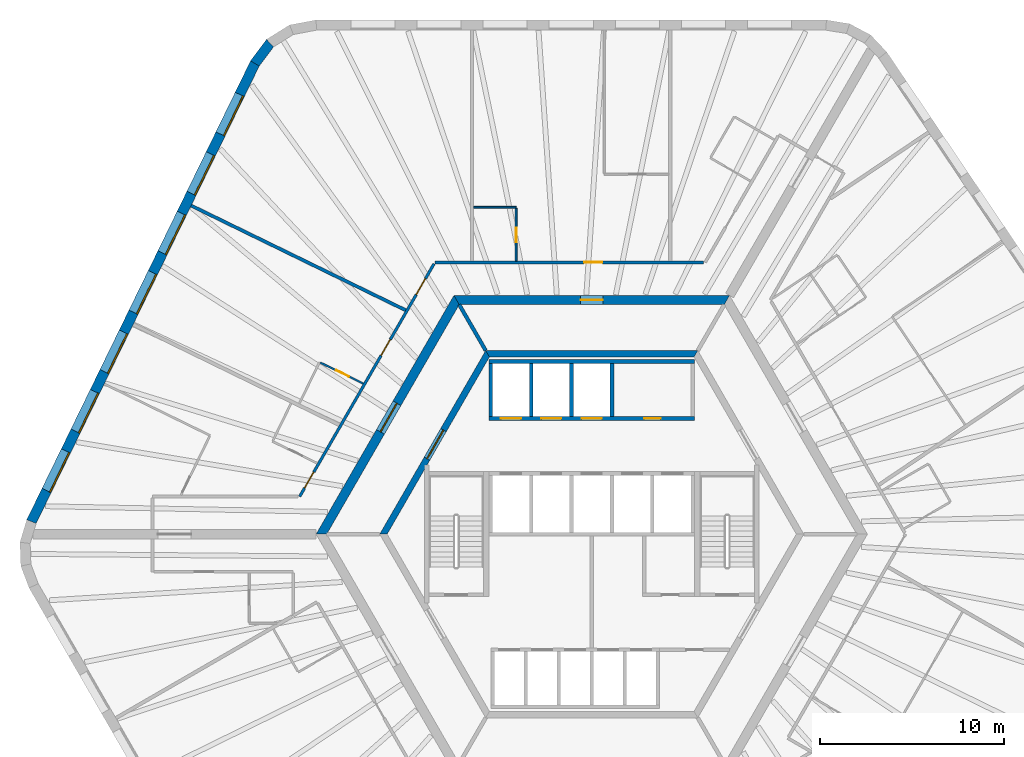
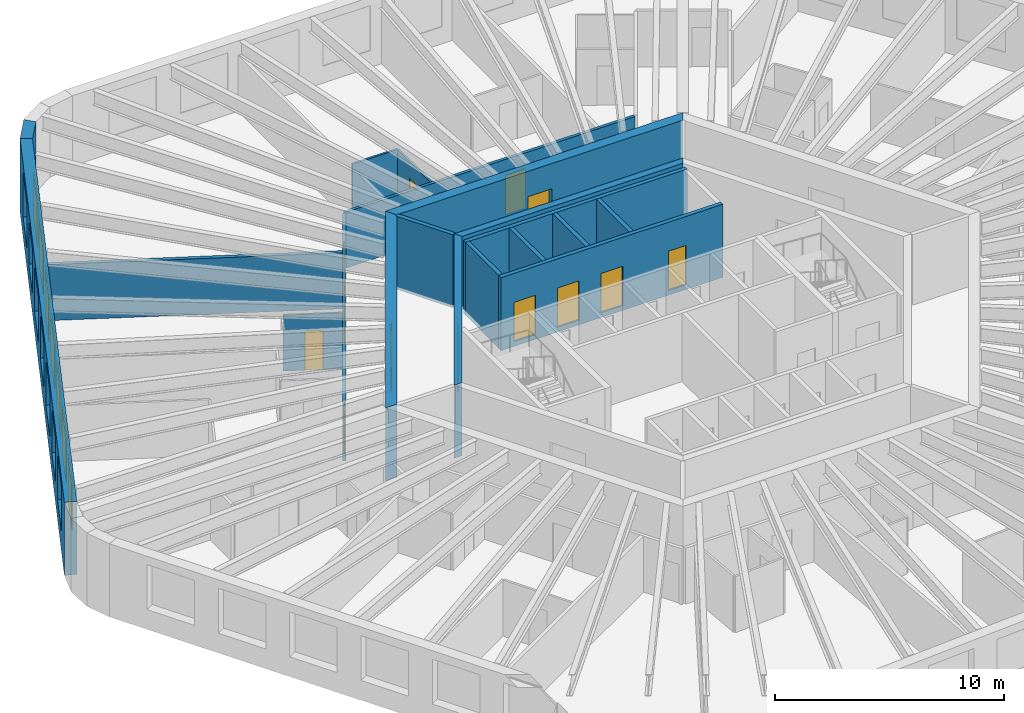
# One storey, part 7 of 10: 19 walls, 13 doors, 7 windows, 20 openings.
"""IFC4 building model written with IfcOpenShell, lengths in metres."""

from ifc_helpers import new_model, si_unit, direction, frame, frame_2d, origin, place, context, subcontext, project, spatial, polyline, rectangle, outline, extrude, material, layer, layer_set, type_object, element, fill, save


model = new_model("IFC4")

# Units and contexts
model_context = context("Model", 3, precision=1e-05, world=origin(), true_north=direction((0.0, 1.0)))
body_context = subcontext(model_context, "Body", "Model", "MODEL_VIEW")
ifc_project = project(units=[si_unit("LENGTHUNIT", "METRE"), si_unit("AREAUNIT", "SQUARE_METRE"), si_unit("VOLUMEUNIT", "CUBIC_METRE"), si_unit("PLANEANGLEUNIT", "RADIAN"), si_unit("MASSUNIT", "GRAM", prefix="KILO")], contexts=[model_context])

# Site, building, storey
site_placement = place(None, origin())
site = spatial("IfcSite", under=ifc_project, at=site_placement, CompositionType="ELEMENT")
building_placement = place(site_placement, origin())
building = spatial("IfcBuilding", under=site, at=building_placement, Name="Tarnside Tower", CompositionType="ELEMENT")
storey_placement = place(building_placement, frame((0.0, 0.0, 180.0)))
storey = spatial("IfcBuildingStorey", under=building, at=storey_placement, Name="L42", CompositionType="ELEMENT", Elevation=180.0)

# Wall
ifc_material_1 = material(Name="Gypsum board partition on steel studs", Category="steel")
ifc_layer_1 = layer(ifc_material_1, 0.10009765625)
ifc_layer_set_1 = layer_set([ifc_layer_1], Name="Bathroom wall 100")
wall_type_1 = type_object("IfcWallType", Name="Bathroom wall 100", PredefinedType="PARTITIONING", material=ifc_layer_set_1)
wall_1_placement = place(storey_placement, frame((-6.427978515625, 17.800048828125, 0.0), z_axis=(0.0, 0.0, 1.0), x_axis=(1.0, 0.0, 0.0)))
element("IfcWall", 1, at=wall_1_placement, inside=storey, type_object=wall_type_1, Name="Bathroom wall 13054", PredefinedType="PARTITIONING", context=body_context, shape_type="SweptSolid", body=[
    extrude(rectangle(XDim=2.31005859375, YDim=0.10009765625, at=frame_2d((1.155029296875, 0.0))), origin(), (0.0, 0.0, 1.0), 2.98779296875),
])

# Wall, opening, door
wall_2_placement = place(storey_placement, frame((-4.117919921875, 17.75, 0.0), z_axis=(0.0, 0.0, 1.0), x_axis=(0.0, -1.0, 0.0)))
wall_2 = element("IfcWall", 2, at=wall_2_placement, inside=storey, type_object=wall_type_1, Name="Bathroom wall 13055", PredefinedType="PARTITIONING", context=body_context, shape_type="SweptSolid", body=[
    extrude(rectangle(XDim=2.875, YDim=0.10009765625, at=frame_2d((1.4375, 0.0))), origin(), (0.0, 0.0, 1.0), 2.98779296875),
])
opening_1_placement = place(wall_2_placement, frame((1.050048828125, 0.0, 0.0)))
opening_1 = element("IfcOpeningElement", 3, at=opening_1_placement, cuts=wall_2, Name="Opening D-B1", PredefinedType="OPENING", context=body_context, shape_type="SweptSolid", body=[
    extrude(rectangle(XDim=0.800048828125, YDim=2.10009765625, at=frame_2d((0.39990234375, 1.050048828125))), frame((0.0, 0.06005859375, 0.0), z_axis=(0.0, -1.0, 0.0), x_axis=(1.0, 0.0, 0.0)), (0.0, 0.0, 1.0), 0.1201171875),
])
ifc_material_2 = material(Name="Timber door leaf", Category="wood")
door_type_1 = type_object("IfcDoorType", Name="Bathroom door 800", OperationType="NOTDEFINED", PredefinedType="DOOR", material=ifc_material_2)
door_1_placement = place(opening_1_placement, origin())
door_1 = element("IfcDoor", 4, at=door_1_placement, inside=storey, type_object=door_type_1, Name="Bathroom door 13004", OperationType="SINGLE_SWING_LEFT", OverallHeight=2.10009765625, OverallWidth=0.800048828125, PredefinedType="DOOR", context=body_context, shape_type="SweptSolid", body=[
    extrude(rectangle(XDim=0.800048828125, YDim=2.10009765625, at=frame_2d((0.39990234375, 1.050048828125))), frame((0.0, 0.02490234375, 0.0), z_axis=(0.0, -1.0, 0.0), x_axis=(1.0, 0.0, 0.0)), (0.0, 0.0, 1.0), 0.050048828125),
])
fill(opening_1, door_1)

wall_3_placement = place(storey_placement, frame((-14.7822265625, 9.34375, 0.0), z_axis=(0.0, 0.0, 1.0), x_axis=(0.898770247069, -0.438419939081, 0.0)))
wall_3 = element("IfcWall", 5, at=wall_3_placement, inside=storey, type_object=wall_type_1, Name="Bathroom wall 13062", PredefinedType="PARTITIONING", context=body_context, shape_type="SweptSolid", body=[
    extrude(rectangle(XDim=2.60498046875, YDim=0.10009765625, at=frame_2d((1.302490234375, 0.0))), origin(), (0.0, 0.0, 1.0), 2.98779296875),
])
opening_2_placement = place(wall_3_placement, frame((0.949951171875, 0.0, 0.0)))
opening_2 = element("IfcOpeningElement", 6, at=opening_2_placement, cuts=wall_3, Name="Opening D-B1", PredefinedType="OPENING", context=body_context, shape_type="SweptSolid", body=[
    extrude(rectangle(XDim=0.800048828125, YDim=2.10009765625, at=frame_2d((0.39990234375, 1.050048828125))), frame((0.0, 0.06005859375, 0.0), z_axis=(0.0, -1.0, 0.0), x_axis=(1.0, 0.0, 0.0)), (0.0, 0.0, 1.0), 0.1201171875),
])
door_2_placement = place(opening_2_placement, origin())
door_2 = element("IfcDoor", 7, at=door_2_placement, inside=storey, type_object=door_type_1, Name="Bathroom door 13008", OperationType="SINGLE_SWING_LEFT", OverallHeight=2.10009765625, OverallWidth=0.800048828125, PredefinedType="DOOR", context=body_context, shape_type="SweptSolid", body=[
    extrude(rectangle(XDim=0.800048828125, YDim=2.10009765625, at=frame_2d((0.39990234375, 1.050048828125))), frame((0.0, 0.02490234375, 0.0), z_axis=(0.0, -1.0, 0.0), x_axis=(1.0, 0.0, 0.0)), (0.0, 0.0, 1.0), 0.050048828125),
])
fill(opening_2, door_2)

ifc_material_3 = material(Name="Concrete C50/60", Category="concrete")
ifc_layer_2 = layer(ifc_material_3, 0.35009765625)
ifc_layer_set_2 = layer_set([ifc_layer_2], Name="Core block wall 350 C50/60")
wall_type_2 = type_object("IfcWallType", Name="Core block wall 350 C50/60", PredefinedType="SHEAR", material=ifc_layer_set_2)
wall_4_placement = place(storey_placement, frame((-5.672607421875, 9.824951171875, -0.14990234375), z_axis=(0.0, 0.0, 1.0), x_axis=(-0.499995046907, -0.866028263435, 0.0)))
wall_4 = element("IfcWall", 8, at=wall_4_placement, inside=storey, type_object=wall_type_2, Name="L42 core block wall face 2", PredefinedType="SHEAR", context=body_context, shape_type="SweptSolid", body=[
    extrude(outline(polyline([(-0.10107421875, -0.175048828125), (11.44580078125, -0.175048828125), (11.24365234375, 0.175048828125), (0.10107421875, 0.175048828125), (-0.10107421875, -0.175048828125)])), origin(), (0.0, 0.0, 1.0), 3.89990234375),
])
opening_3_placement = place(wall_4_placement, frame((4.80126953125, 0.0, 0.14990234375)))
opening_3 = element("IfcOpeningElement", 9, at=opening_3_placement, cuts=wall_4, Name="Opening CD-LOB", PredefinedType="OPENING", context=body_context, shape_type="SweptSolid", body=[
    extrude(rectangle(XDim=1.800048828125, YDim=2.39990234375, at=frame_2d((0.89990234375, 1.199951171875))), frame((0.0, 0.18505859375, 0.0), z_axis=(0.0, -1.0, 0.0), x_axis=(1.0, 0.0, 0.0)), (0.0, 0.0, 1.0), 0.3701171875),
])
ifc_material_4 = material(Name="Steel fire door", Category="steel")
door_type_2 = type_object("IfcDoorType", Name="Lobby double door FD30S 1800x2400", OperationType="NOTDEFINED", PredefinedType="DOOR", material=ifc_material_4)
door_3_placement = place(opening_3_placement, origin())
door_3 = element("IfcDoor", 10, at=door_3_placement, inside=storey, type_object=door_type_2, Name="L42 lobby block door P1", OperationType="DOUBLE_DOOR_SINGLE_SWING", OverallHeight=2.39990234375, OverallWidth=1.800048828125, PredefinedType="DOOR", context=body_context, shape_type="SweptSolid", body=[
    extrude(rectangle(XDim=1.800048828125, YDim=2.39990234375, at=frame_2d((0.89990234375, 1.199951171875))), frame((0.0, 0.02490234375, 0.0), z_axis=(0.0, -1.0, 0.0), x_axis=(1.0, 0.0, 0.0)), (0.0, 0.0, 1.0), 0.050048828125),
])
fill(opening_3, door_3)

# Wall
wall_5_placement = place(storey_placement, frame((5.672607421875, 9.824951171875, -0.14990234375), z_axis=(0.0, 0.0, 1.0), x_axis=(-1.0, 0.0, 0.0)))
element("IfcWall", 11, at=wall_5_placement, inside=storey, type_object=wall_type_2, Name="L42 core block wall face 1", PredefinedType="SHEAR", context=body_context, shape_type="SweptSolid", body=[
    extrude(outline(polyline([(-0.10107421875, -0.175048828125), (11.4462890625, -0.175048828125), (11.244140625, 0.175048828125), (0.10107421875, 0.175048828125), (-0.10107421875, -0.175048828125)])), origin(), (0.0, 0.0, 1.0), 3.89990234375),
])

# Wall, opening, door
ifc_material_5 = material(Name="Concrete C70/85", Category="concrete")
ifc_layer_3 = layer(ifc_material_5, 0.5)
ifc_layer_set_3 = layer_set([ifc_layer_3], Name="Core wall Z2 500 C70/85")
wall_type_3 = type_object("IfcWallType", Name="Core wall Z2 500 C70/85", PredefinedType="SHEAR", material=ifc_layer_set_3)
wall_6_placement = place(storey_placement, frame((-7.361083984375, 12.75, -0.14990234375), z_axis=(0.0, 0.0, 1.0), x_axis=(-0.50000571537, -0.866022103989, 0.0)))
wall_6 = element("IfcWall", 12, at=wall_6_placement, inside=storey, type_object=wall_type_3, Name="L42 core wall face 2", PredefinedType="SHEAR", context=body_context, shape_type="SweptSolid", body=[
    extrude(outline(polyline([(-0.144287109375, -0.25), (14.86669921875, -0.25), (14.578125, 0.25), (0.144287109375, 0.25), (-0.144287109375, -0.25)])), origin(), (0.0, 0.0, 1.0), 3.89990234375),
])
opening_4_placement = place(wall_6_placement, frame((6.489990234375, 0.0, 0.14990234375)))
opening_4 = element("IfcOpeningElement", 13, at=opening_4_placement, cuts=wall_6, Name="Opening CD-LOB", PredefinedType="OPENING", context=body_context, shape_type="SweptSolid", body=[
    extrude(rectangle(XDim=1.800048828125, YDim=2.39990234375, at=frame_2d((0.89990234375, 1.199951171875))), frame((0.0, 0.260009765625, 0.0), z_axis=(0.0, -1.0, 0.0), x_axis=(1.0, 0.0, 0.0)), (0.0, 0.0, 1.0), 0.52001953125),
])
door_4_placement = place(opening_4_placement, origin())
door_4 = element("IfcDoor", 14, at=door_4_placement, inside=storey, type_object=door_type_2, Name="L42 core door P1", OperationType="DOUBLE_DOOR_SINGLE_SWING", OverallHeight=2.39990234375, OverallWidth=1.800048828125, PredefinedType="DOOR", context=body_context, shape_type="SweptSolid", body=[
    extrude(rectangle(XDim=1.800048828125, YDim=2.39990234375, at=frame_2d((0.89990234375, 1.199951171875))), frame((0.0, 0.02490234375, 0.0), z_axis=(0.0, -1.0, 0.0), x_axis=(1.0, 0.0, 0.0)), (0.0, 0.0, 1.0), 0.050048828125),
])
fill(opening_4, door_4)

wall_7_placement = place(storey_placement, frame((7.361083984375, 12.75, -0.14990234375), z_axis=(0.0, 0.0, 1.0), x_axis=(-1.0, 0.0, 0.0)))
wall_7 = element("IfcWall", 15, at=wall_7_placement, inside=storey, type_object=wall_type_3, Name="L42 core wall face 1", PredefinedType="SHEAR", context=body_context, shape_type="SweptSolid", body=[
    extrude(outline(polyline([(-0.144287109375, -0.25), (14.866455078125, -0.25), (14.577880859375, 0.25), (0.144287109375, 0.25), (-0.144287109375, -0.25)])), origin(), (0.0, 0.0, 1.0), 3.89990234375),
])
opening_5_placement = place(wall_7_placement, frame((6.76123046875, 0.0, 0.14990234375)))
opening_5 = element("IfcOpeningElement", 16, at=opening_5_placement, cuts=wall_7, Name="Opening CD-RSR", PredefinedType="OPENING", context=body_context, shape_type="SweptSolid", body=[
    extrude(rectangle(XDim=1.199951171875, YDim=2.39990234375, at=frame_2d((0.60009765625, 1.199951171875))), frame((0.0, 0.260009765625, 0.0), z_axis=(0.0, -1.0, 0.0), x_axis=(1.0, 0.0, 0.0)), (0.0, 0.0, 1.0), 0.52001953125),
])
door_type_3 = type_object("IfcDoorType", Name="Riser door FD60 1200x2400", OperationType="NOTDEFINED", PredefinedType="DOOR", material=ifc_material_4)
door_5_placement = place(opening_5_placement, origin())
door_5 = element("IfcDoor", 17, at=door_5_placement, inside=storey, type_object=door_type_3, Name="L42 core door S5", OperationType="SINGLE_SWING_LEFT", OverallHeight=2.39990234375, OverallWidth=1.199951171875, PredefinedType="DOOR", context=body_context, shape_type="SweptSolid", body=[
    extrude(rectangle(XDim=1.199951171875, YDim=2.39990234375, at=frame_2d((0.60009765625, 1.199951171875))), frame((0.0, 0.02490234375, 0.0), z_axis=(0.0, -1.0, 0.0), x_axis=(1.0, 0.0, 0.0)), (0.0, 0.0, 1.0), 0.050048828125),
])
fill(opening_5, door_5)

ifc_layer_4 = layer(ifc_material_1, 0.14990234375)
ifc_layer_set_4 = layer_set([ifc_layer_4], Name="Corridor wall 150 EI 60")
wall_type_4 = type_object("IfcWallType", Name="Corridor wall 150 EI 60", PredefinedType="PARTITIONING", material=ifc_layer_set_4)
wall_8_placement = place(storey_placement, frame((6.091064453125, 14.800048828125, 0.0), z_axis=(0.0, 0.0, 1.0), x_axis=(-1.0, 0.0, 0.0)))
wall_8 = element("IfcWall", 18, at=wall_8_placement, inside=storey, type_object=wall_type_4, Name="Corridor wall 13002", PredefinedType="PARTITIONING", context=body_context, shape_type="SweptSolid", body=[
    extrude(rectangle(XDim=14.6357421875, YDim=0.14990234375, at=frame_2d((7.31787109375, 0.0))), origin(), (0.0, 0.0, 1.0), 2.98779296875),
])
opening_6_placement = place(wall_8_placement, frame((5.509033203125, 0.0, 0.0)))
opening_6 = element("IfcOpeningElement", 19, at=opening_6_placement, cuts=wall_8, Name="Opening D-E1", PredefinedType="OPENING", context=body_context, shape_type="SweptSolid", body=[
    extrude(rectangle(XDim=1.0, YDim=2.10009765625, at=frame_2d((0.5, 1.050048828125))), frame((0.0, 0.0849609375, 0.0), z_axis=(0.0, -1.0, 0.0), x_axis=(1.0, 0.0, 0.0)), (0.0, 0.0, 1.0), 0.169921875),
])
door_type_4 = type_object("IfcDoorType", Name="Unit entrance door 1000 FD30S", OperationType="NOTDEFINED", PredefinedType="DOOR", material=ifc_material_2)
door_6_placement = place(opening_6_placement, origin())
door_6 = element("IfcDoor", 20, at=door_6_placement, inside=storey, type_object=door_type_4, Name="Unit door 13003", OperationType="SINGLE_SWING_RIGHT", OverallHeight=2.10009765625, OverallWidth=1.0, PredefinedType="DOOR", context=body_context, shape_type="SweptSolid", body=[
    extrude(rectangle(XDim=1.0, YDim=2.10009765625, at=frame_2d((0.5, 1.050048828125))), frame((0.0, 0.02490234375, 0.0), z_axis=(0.0, -1.0, 0.0), x_axis=(1.0, 0.0, 0.0)), (0.0, 0.0, 1.0), 0.050048828125),
])
fill(opening_6, door_6)

# Wall, openings, doors
wall_9_placement = place(storey_placement, frame((-8.588134765625, 14.72509765625, 0.0), z_axis=(0.0, 0.0, 1.0), x_axis=(-0.499996322767, -0.866027526826, 0.0)))
wall_9 = element("IfcWall", 21, at=wall_9_placement, inside=storey, type_object=wall_type_4, Name="Corridor wall 13009", PredefinedType="PARTITIONING", context=body_context, shape_type="SweptSolid", body=[
    extrude(rectangle(XDim=14.6357421875, YDim=0.14990234375, at=frame_2d((7.31787109375, 0.0))), origin(), (0.0, 0.0, 1.0), 2.98779296875),
])
opening_7_placement = place(wall_9_placement, frame((0.936279296875, 0.0, 0.0)))
opening_7 = element("IfcOpeningElement", 22, at=opening_7_placement, cuts=wall_9, Name="Opening D-E1", PredefinedType="OPENING", context=body_context, shape_type="SweptSolid", body=[
    extrude(rectangle(XDim=1.0, YDim=2.10009765625, at=frame_2d((0.5, 1.050048828125))), frame((0.0, 0.0849609375, 0.0), z_axis=(0.0, -1.0, 0.0), x_axis=(1.0, 0.0, 0.0)), (0.0, 0.0, 1.0), 0.169921875),
])
opening_8_placement = place(wall_9_placement, frame((4.771240234375, 0.0, 0.0)))
opening_8 = element("IfcOpeningElement", 23, at=opening_8_placement, cuts=wall_9, Name="Opening D-E1", PredefinedType="OPENING", context=body_context, shape_type="SweptSolid", body=[
    extrude(rectangle(XDim=1.0, YDim=2.10009765625, at=frame_2d((0.5, 1.050048828125))), frame((0.0, 0.0849609375, 0.0), z_axis=(0.0, -1.0, 0.0), x_axis=(1.0, 0.0, 0.0)), (0.0, 0.0, 1.0), 0.169921875),
])
opening_9_placement = place(wall_9_placement, frame((13.103271484375, 0.0, 0.0)))
opening_9 = element("IfcOpeningElement", 24, at=opening_9_placement, cuts=wall_9, Name="Opening D-E1", PredefinedType="OPENING", context=body_context, shape_type="SweptSolid", body=[
    extrude(rectangle(XDim=1.0, YDim=2.10009765625, at=frame_2d((0.5, 1.050048828125))), frame((0.0, 0.0849609375, 0.0), z_axis=(0.0, -1.0, 0.0), x_axis=(1.0, 0.0, 0.0)), (0.0, 0.0, 1.0), 0.169921875),
])
door_7_placement = place(opening_7_placement, origin())
door_7 = element("IfcDoor", 25, at=door_7_placement, inside=storey, type_object=door_type_4, Name="Unit door 13006", OperationType="SINGLE_SWING_RIGHT", OverallHeight=2.10009765625, OverallWidth=1.0, PredefinedType="DOOR", context=body_context, shape_type="SweptSolid", body=[
    extrude(rectangle(XDim=1.0, YDim=2.10009765625, at=frame_2d((0.5, 1.050048828125))), frame((0.0, 0.02490234375, 0.0), z_axis=(0.0, -1.0, 0.0), x_axis=(1.0, 0.0, 0.0)), (0.0, 0.0, 1.0), 0.050048828125),
])
fill(opening_7, door_7)
door_8_placement = place(opening_8_placement, origin())
door_8 = element("IfcDoor", 26, at=door_8_placement, inside=storey, type_object=door_type_4, Name="Unit door 13007", OperationType="SINGLE_SWING_LEFT", OverallHeight=2.10009765625, OverallWidth=1.0, PredefinedType="DOOR", context=body_context, shape_type="SweptSolid", body=[
    extrude(rectangle(XDim=1.0, YDim=2.10009765625, at=frame_2d((0.5, 1.050048828125))), frame((0.0, 0.02490234375, 0.0), z_axis=(0.0, -1.0, 0.0), x_axis=(1.0, 0.0, 0.0)), (0.0, 0.0, 1.0), 0.050048828125),
])
fill(opening_8, door_8)
door_9_placement = place(opening_9_placement, origin())
door_9 = element("IfcDoor", 27, at=door_9_placement, inside=storey, type_object=door_type_4, Name="Unit door 13009", OperationType="SINGLE_SWING_LEFT", OverallHeight=2.10009765625, OverallWidth=1.0, PredefinedType="DOOR", context=body_context, shape_type="SweptSolid", body=[
    extrude(rectangle(XDim=1.0, YDim=2.10009765625, at=frame_2d((0.5, 1.050048828125))), frame((0.0, 0.02490234375, 0.0), z_axis=(0.0, -1.0, 0.0), x_axis=(1.0, 0.0, 0.0)), (0.0, 0.0, 1.0), 0.050048828125),
])
fill(opening_9, door_9)

# Wall
ifc_layer_5 = layer(ifc_material_1, 0.179931640625)
ifc_layer_set_5 = layer_set([ifc_layer_5], Name="Demising wall 180 EI 60")
wall_type_5 = type_object("IfcWallType", Name="Demising wall 180 EI 60", PredefinedType="PARTITIONING", material=ifc_layer_set_5)
wall_10_placement = place(storey_placement, frame((-21.814697265625, 17.8916015625, 0.0), z_axis=(0.0, 0.0, 1.0), x_axis=(0.898798778742, -0.43836144371, 0.0)))
element("IfcWall", 28, at=wall_10_placement, inside=storey, type_object=wall_type_5, Name="Demising wall 13060", PredefinedType="PARTITIONING", context=body_context, shape_type="SweptSolid", body=[
    extrude(rectangle(XDim=12.994384765625, YDim=0.179931640625, at=frame_2d((6.4970703125, 0.0))), origin(), (0.0, 0.0, 1.0), 2.98779296875),
])

# Wall, openings, doors
ifc_material_6 = material(Name="Concrete C40/50", Category="concrete")
ifc_layer_6 = layer(ifc_material_6, 0.199951171875)
ifc_layer_set_6 = layer_set([ifc_layer_6], Name="Lift shaft wall 200 C40/50")
wall_type_6 = type_object("IfcWallType", Name="Lift shaft wall 200 C40/50", PredefinedType="SHEAR", material=ifc_layer_set_6)
wall_11_placement = place(storey_placement, frame((-5.60009765625, 6.300048828125, -0.25), z_axis=(0.0, 0.0, 1.0), x_axis=(1.0, 0.0, 0.0)))
wall_11 = element("IfcWall", 29, at=wall_11_placement, inside=storey, type_object=wall_type_6, Name="L42 lift shaft front wall R1", PredefinedType="SHEAR", context=body_context, shape_type="SweptSolid", body=[
    extrude(rectangle(XDim=11.2001953125, YDim=0.199951171875, at=frame_2d((5.60009765625, 0.0))), origin(), (0.0, 0.0, 1.0), 3.89990234375),
])
opening_10_placement = place(wall_11_placement, frame((8.449951171875, 0.0, 0.25)))
opening_10 = element("IfcOpeningElement", 30, at=opening_10_placement, cuts=wall_11, Name="Opening CD-room", PredefinedType="OPENING", context=body_context, shape_type="SweptSolid", body=[
    extrude(rectangle(XDim=0.89990234375, YDim=2.10009765625, at=frame_2d((0.449951171875, 1.050048828125))), frame((0.0, 0.10986328125, 0.0), z_axis=(0.0, -1.0, 0.0), x_axis=(1.0, 0.0, 0.0)), (0.0, 0.0, 1.0), 0.219970703125),
])
opening_11_placement = place(wall_11_placement, frame((0.64990234375, 0.0, 0.25)))
opening_11 = element("IfcOpeningElement", 31, at=opening_11_placement, cuts=wall_11, Name="Opening LD", PredefinedType="OPENING", context=body_context, shape_type="SweptSolid", body=[
    extrude(rectangle(XDim=1.10009765625, YDim=2.10009765625, at=frame_2d((0.550048828125, 1.050048828125))), frame((0.0, 0.10986328125, 0.0), z_axis=(0.0, -1.0, 0.0), x_axis=(1.0, 0.0, 0.0)), (0.0, 0.0, 1.0), 0.219970703125),
])
opening_12_placement = place(wall_11_placement, frame((2.85009765625, 0.0, 0.25)))
opening_12 = element("IfcOpeningElement", 32, at=opening_12_placement, cuts=wall_11, Name="Opening LD", PredefinedType="OPENING", context=body_context, shape_type="SweptSolid", body=[
    extrude(rectangle(XDim=1.10009765625, YDim=2.10009765625, at=frame_2d((0.550048828125, 1.050048828125))), frame((0.0, 0.10986328125, 0.0), z_axis=(0.0, -1.0, 0.0), x_axis=(1.0, 0.0, 0.0)), (0.0, 0.0, 1.0), 0.219970703125),
])
opening_13_placement = place(wall_11_placement, frame((5.050048828125, 0.0, 0.25)))
opening_13 = element("IfcOpeningElement", 33, at=opening_13_placement, cuts=wall_11, Name="Opening LD", PredefinedType="OPENING", context=body_context, shape_type="SweptSolid", body=[
    extrude(rectangle(XDim=1.10009765625, YDim=2.10009765625, at=frame_2d((0.550048828125, 1.050048828125))), frame((0.0, 0.10986328125, 0.0), z_axis=(0.0, -1.0, 0.0), x_axis=(1.0, 0.0, 0.0)), (0.0, 0.0, 1.0), 0.219970703125),
])
ifc_material_7 = material(Name="Stainless steel", Category="steel")
door_type_5 = type_object("IfcDoorType", Name="Lift landing door 1100x2100", OperationType="NOTDEFINED", PredefinedType="DOOR", material=ifc_material_7)
door_10_placement = place(opening_11_placement, origin())
door_10 = element("IfcDoor", 34, at=door_10_placement, inside=storey, type_object=door_type_5, Name="Mid-rise lift 1 landing door L42", OperationType="SLIDING_TO_LEFT", OverallHeight=2.10009765625, OverallWidth=1.10009765625, PredefinedType="DOOR", context=body_context, shape_type="SweptSolid", body=[
    extrude(rectangle(XDim=1.10009765625, YDim=2.10009765625, at=frame_2d((0.550048828125, 1.050048828125))), frame((0.0, 0.02490234375, 0.0), z_axis=(0.0, -1.0, 0.0), x_axis=(1.0, 0.0, 0.0)), (0.0, 0.0, 1.0), 0.050048828125),
])
fill(opening_11, door_10)
door_11_placement = place(opening_12_placement, origin())
door_11 = element("IfcDoor", 35, at=door_11_placement, inside=storey, type_object=door_type_5, Name="Mid-rise lift 2 landing door L42", OperationType="SLIDING_TO_LEFT", OverallHeight=2.10009765625, OverallWidth=1.10009765625, PredefinedType="DOOR", context=body_context, shape_type="SweptSolid", body=[
    extrude(rectangle(XDim=1.10009765625, YDim=2.10009765625, at=frame_2d((0.550048828125, 1.050048828125))), frame((0.0, 0.02490234375, 0.0), z_axis=(0.0, -1.0, 0.0), x_axis=(1.0, 0.0, 0.0)), (0.0, 0.0, 1.0), 0.050048828125),
])
fill(opening_12, door_11)
door_12_placement = place(opening_13_placement, origin())
door_12 = element("IfcDoor", 36, at=door_12_placement, inside=storey, type_object=door_type_5, Name="Mid-rise lift 3 landing door L42", OperationType="SLIDING_TO_LEFT", OverallHeight=2.10009765625, OverallWidth=1.10009765625, PredefinedType="DOOR", context=body_context, shape_type="SweptSolid", body=[
    extrude(rectangle(XDim=1.10009765625, YDim=2.10009765625, at=frame_2d((0.550048828125, 1.050048828125))), frame((0.0, 0.02490234375, 0.0), z_axis=(0.0, -1.0, 0.0), x_axis=(1.0, 0.0, 0.0)), (0.0, 0.0, 1.0), 0.050048828125),
])
fill(opening_13, door_12)
door_type_6 = type_object("IfcDoorType", Name="Room door FD60 900x2100", OperationType="NOTDEFINED", PredefinedType="DOOR", material=ifc_material_4)
door_13_placement = place(opening_10_placement, origin())
door_13 = element("IfcDoor", 37, at=door_13_placement, inside=storey, type_object=door_type_6, Name="L42 core room door FC1", OperationType="SINGLE_SWING_LEFT", OverallHeight=2.10009765625, OverallWidth=0.89990234375, PredefinedType="DOOR", context=body_context, shape_type="SweptSolid", body=[
    extrude(rectangle(XDim=0.89990234375, YDim=2.10009765625, at=frame_2d((0.449951171875, 1.050048828125))), frame((0.0, 0.02490234375, 0.0), z_axis=(0.0, -1.0, 0.0), x_axis=(1.0, 0.0, 0.0)), (0.0, 0.0, 1.0), 0.050048828125),
])
fill(opening_10, door_13)

# Walls
wall_12_placement = place(storey_placement, frame((-5.60009765625, 9.39990234375, -0.25), z_axis=(0.0, 0.0, 1.0), x_axis=(1.0, 0.0, 0.0)))
element("IfcWall", 38, at=wall_12_placement, inside=storey, type_object=wall_type_6, Name="L42 lift shaft back wall R1", PredefinedType="SHEAR", context=body_context, shape_type="SweptSolid", body=[
    extrude(rectangle(XDim=11.2001953125, YDim=0.199951171875, at=frame_2d((5.60009765625, 0.0))), origin(), (0.0, 0.0, 1.0), 3.89990234375),
])
for number, where, z_axis, x_axis, name in (
    (39, (-5.5, 6.39990234375, -0.25), (0.0, 0.0, 1.0), (0.0, 1.0, 0.0), "L42 lift shaft partition R11"),
    (40, (-3.300048828125, 6.39990234375, -0.25), (0.0, 0.0, 1.0), (0.0, 1.0, 0.0), "L42 lift shaft partition R12"),
    (41, (-1.10009765625, 6.39990234375, -0.25), (0.0, 0.0, 1.0), (0.0, 1.0, 0.0), "L42 lift shaft partition R13"),
    (42, (1.10009765625, 6.39990234375, -0.25), (0.0, 0.0, 1.0), (0.0, 1.0, 0.0), "L42 lift shaft partition R14"),
):
    element("IfcWall", number, at=place(storey_placement, frame(where, z_axis=z_axis, x_axis=x_axis)), inside=storey, type_object=wall_type_6, Name=name, PredefinedType="SHEAR", context=body_context, shape_type="SweptSolid", body=[
        extrude(rectangle(XDim=2.900146484375, YDim=0.199951171875, at=frame_2d((1.4501953125, 0.0))), origin(), (0.0, 0.0, 1.0), 3.89990234375),
    ])
wall_13_placement = place(storey_placement, frame((-5.7734375, 10.0, -0.14990234375), z_axis=(0.0, 0.0, 1.0), x_axis=(-0.499995765644, 0.866027848477, 0.0)))
element("IfcWall", 43, at=wall_13_placement, inside=storey, type_object=wall_type_6, Name="L42 core partition AR120", PredefinedType="SHEAR", context=body_context, shape_type="SweptSolid", body=[
    extrude(rectangle(XDim=2.88671875, YDim=0.199951171875, at=frame_2d((1.443359375, 0.0))), origin(), (0.0, 0.0, 1.0), 3.89990234375),
])
ifc_material_8 = material(Name="Facing brick", Category="masonry")
ifc_layer_7 = layer(ifc_material_8, 0.10205078125)
ifc_material_9 = material(Name="Concrete C60/75 precast", Category="concrete")
ifc_layer_8 = layer(ifc_material_9, 0.347900390625)
ifc_material_10 = material(Name="Mineral wool insulation")
ifc_layer_9 = layer(ifc_material_10, 0.10009765625)
ifc_layer_set_7 = layer_set([ifc_layer_7, ifc_layer_8, ifc_layer_9], Name="Tube wall 550 brick faced")
wall_type_7 = type_object("IfcWallType", Name="Tube wall 550 brick faced", PredefinedType="SOLIDWALL", material=ifc_layer_set_7)
wall_14_placement = place(storey_placement, frame((-17.521484375, 26.739013671875, -0.14990234375), z_axis=(0.0, 0.0, 1.0), x_axis=(-0.597135295884, -0.802140535324, 0.0)))
element("IfcWall", 44, at=wall_14_placement, inside=storey, type_object=wall_type_7, Name="Tube wall L42 F1 chord 03", PredefinedType="SOLIDWALL", context=body_context, shape_type="SweptSolid", body=[
    extrude(outline(polyline([(-0.0517578125, -0.27490234375), (1.40478515625, -0.27490234375), (1.353515625, 0.27490234375), (0.0517578125, 0.27490234375), (-0.0517578125, -0.27490234375)])), origin(), (0.0, 0.0, 1.0), 3.89990234375),
])

# Wall, openings, windows
wall_15_placement = place(storey_placement, frame((-18.344970703125, 25.6328125, -0.14990234375), z_axis=(0.0, 0.0, 1.0), x_axis=(-0.43837181828, -0.898793718791, 0.0)))
wall_15 = element("IfcWall", 45, at=wall_15_placement, inside=storey, type_object=wall_type_7, Name="Tube wall L42 F2 flush 04", PredefinedType="SOLIDWALL", context=body_context, shape_type="SweptSolid", body=[
    extrude(outline(polyline([(-0.025634765625, -0.27490234375), (27.7802734375, -0.27490234375), (27.7353515625, 0.27490234375), (0.025634765625, 0.27490234375), (-0.025634765625, -0.27490234375)])), origin(), (0.0, 0.0, 1.0), 3.89990234375),
])
opening_14_placement = place(wall_15_placement, frame((1.87890625, 0.0, 1.050048828125)))
opening_14 = element("IfcOpeningElement", 46, at=opening_14_placement, cuts=wall_15, Name="Opening WH", PredefinedType="OPENING", context=body_context, shape_type="SweptSolid", body=[
    extrude(rectangle(XDim=2.39990234375, YDim=2.39990234375, at=frame_2d((1.199951171875, 1.199951171875))), frame((0.0, 0.28515625, 0.0), z_axis=(0.0, -1.0, 0.0), x_axis=(1.0, 0.0, 0.0)), (0.0, 0.0, 1.0), 0.570068359375),
])
opening_15_placement = place(wall_15_placement, frame((5.47900390625, 0.0, 1.050048828125)))
opening_15 = element("IfcOpeningElement", 47, at=opening_15_placement, cuts=wall_15, Name="Opening WH", PredefinedType="OPENING", context=body_context, shape_type="SweptSolid", body=[
    extrude(rectangle(XDim=2.39990234375, YDim=2.39990234375, at=frame_2d((1.199951171875, 1.199951171875))), frame((0.0, 0.28515625, 0.0), z_axis=(0.0, -1.0, 0.0), x_axis=(1.0, 0.0, 0.0)), (0.0, 0.0, 1.0), 0.570068359375),
])
opening_16_placement = place(wall_15_placement, frame((9.078857421875, 0.0, 1.050048828125)))
opening_16 = element("IfcOpeningElement", 48, at=opening_16_placement, cuts=wall_15, Name="Opening WH", PredefinedType="OPENING", context=body_context, shape_type="SweptSolid", body=[
    extrude(rectangle(XDim=2.39990234375, YDim=2.39990234375, at=frame_2d((1.199951171875, 1.199951171875))), frame((0.0, 0.28515625, 0.0), z_axis=(0.0, -1.0, 0.0), x_axis=(1.0, 0.0, 0.0)), (0.0, 0.0, 1.0), 0.570068359375),
])
opening_17_placement = place(wall_15_placement, frame((12.678955078125, 0.0, 1.050048828125)))
opening_17 = element("IfcOpeningElement", 49, at=opening_17_placement, cuts=wall_15, Name="Opening WH", PredefinedType="OPENING", context=body_context, shape_type="SweptSolid", body=[
    extrude(rectangle(XDim=2.39990234375, YDim=2.39990234375, at=frame_2d((1.199951171875, 1.199951171875))), frame((0.0, 0.28515625, 0.0), z_axis=(0.0, -1.0, 0.0), x_axis=(1.0, 0.0, 0.0)), (0.0, 0.0, 1.0), 0.570068359375),
])
opening_18_placement = place(wall_15_placement, frame((16.27880859375, 0.0, 1.050048828125)))
opening_18 = element("IfcOpeningElement", 50, at=opening_18_placement, cuts=wall_15, Name="Opening WH", PredefinedType="OPENING", context=body_context, shape_type="SweptSolid", body=[
    extrude(rectangle(XDim=2.39990234375, YDim=2.39990234375, at=frame_2d((1.199951171875, 1.199951171875))), frame((0.0, 0.28515625, 0.0), z_axis=(0.0, -1.0, 0.0), x_axis=(1.0, 0.0, 0.0)), (0.0, 0.0, 1.0), 0.570068359375),
])
opening_19_placement = place(wall_15_placement, frame((19.87890625, 0.0, 1.050048828125)))
opening_19 = element("IfcOpeningElement", 51, at=opening_19_placement, cuts=wall_15, Name="Opening WH", PredefinedType="OPENING", context=body_context, shape_type="SweptSolid", body=[
    extrude(rectangle(XDim=2.39990234375, YDim=2.39990234375, at=frame_2d((1.199951171875, 1.199951171875))), frame((0.0, 0.28515625, 0.0), z_axis=(0.0, -1.0, 0.0), x_axis=(1.0, 0.0, 0.0)), (0.0, 0.0, 1.0), 0.570068359375),
])
opening_20_placement = place(wall_15_placement, frame((23.47900390625, 0.0, 1.050048828125)))
opening_20 = element("IfcOpeningElement", 52, at=opening_20_placement, cuts=wall_15, Name="Opening WH", PredefinedType="OPENING", context=body_context, shape_type="SweptSolid", body=[
    extrude(rectangle(XDim=2.39990234375, YDim=2.39990234375, at=frame_2d((1.199951171875, 1.199951171875))), frame((0.0, 0.28515625, 0.0), z_axis=(0.0, -1.0, 0.0), x_axis=(1.0, 0.0, 0.0)), (0.0, 0.0, 1.0), 0.570068359375),
])
ifc_material_11 = material(Name="Aluminium-framed double glazing", Category="aluminium")
window_type = type_object("IfcWindowType", Name="Hotel window 2400 x 2400", PartitioningType="DOUBLE_PANEL_VERTICAL", PredefinedType="WINDOW", material=ifc_material_11)
window_1_placement = place(opening_14_placement, frame((0.0, 0.205078125, 0.0)))
window_1 = element("IfcWindow", 53, at=window_1_placement, inside=storey, type_object=window_type, Name="E.WN.L42.F2.00", OverallHeight=2.39990234375, OverallWidth=2.39990234375, PartitioningType="DOUBLE_PANEL_VERTICAL", PredefinedType="WINDOW", context=body_context, shape_type="SweptSolid", body=[
    extrude(rectangle(XDim=2.39990234375, YDim=2.39990234375, at=frame_2d((1.199951171875, 1.199951171875))), frame((0.0, 0.030029296875, 0.0), z_axis=(0.0, -1.0, 0.0), x_axis=(1.0, 0.0, 0.0)), (0.0, 0.0, 1.0), 0.06005859375),
])
fill(opening_14, window_1)
window_2_placement = place(opening_15_placement, frame((0.0, 0.205078125, 0.0)))
window_2 = element("IfcWindow", 54, at=window_2_placement, inside=storey, type_object=window_type, Name="E.WN.L42.F2.01", OverallHeight=2.39990234375, OverallWidth=2.39990234375, PartitioningType="DOUBLE_PANEL_VERTICAL", PredefinedType="WINDOW", context=body_context, shape_type="SweptSolid", body=[
    extrude(rectangle(XDim=2.39990234375, YDim=2.39990234375, at=frame_2d((1.199951171875, 1.199951171875))), frame((0.0, 0.030029296875, 0.0), z_axis=(0.0, -1.0, 0.0), x_axis=(1.0, 0.0, 0.0)), (0.0, 0.0, 1.0), 0.06005859375),
])
fill(opening_15, window_2)
window_3_placement = place(opening_16_placement, frame((0.0, 0.205078125, 0.0)))
window_3 = element("IfcWindow", 55, at=window_3_placement, inside=storey, type_object=window_type, Name="E.WN.L42.F2.02", OverallHeight=2.39990234375, OverallWidth=2.39990234375, PartitioningType="DOUBLE_PANEL_VERTICAL", PredefinedType="WINDOW", context=body_context, shape_type="SweptSolid", body=[
    extrude(rectangle(XDim=2.39990234375, YDim=2.39990234375, at=frame_2d((1.199951171875, 1.199951171875))), frame((0.0, 0.030029296875, 0.0), z_axis=(0.0, -1.0, 0.0), x_axis=(1.0, 0.0, 0.0)), (0.0, 0.0, 1.0), 0.06005859375),
])
fill(opening_16, window_3)
window_4_placement = place(opening_17_placement, frame((0.0, 0.205078125, 0.0)))
window_4 = element("IfcWindow", 56, at=window_4_placement, inside=storey, type_object=window_type, Name="E.WN.L42.F2.03", OverallHeight=2.39990234375, OverallWidth=2.39990234375, PartitioningType="DOUBLE_PANEL_VERTICAL", PredefinedType="WINDOW", context=body_context, shape_type="SweptSolid", body=[
    extrude(rectangle(XDim=2.39990234375, YDim=2.39990234375, at=frame_2d((1.199951171875, 1.199951171875))), frame((0.0, 0.030029296875, 0.0), z_axis=(0.0, -1.0, 0.0), x_axis=(1.0, 0.0, 0.0)), (0.0, 0.0, 1.0), 0.06005859375),
])
fill(opening_17, window_4)
window_5_placement = place(opening_18_placement, frame((0.0, 0.205078125, 0.0)))
window_5 = element("IfcWindow", 57, at=window_5_placement, inside=storey, type_object=window_type, Name="E.WN.L42.F2.04", OverallHeight=2.39990234375, OverallWidth=2.39990234375, PartitioningType="DOUBLE_PANEL_VERTICAL", PredefinedType="WINDOW", context=body_context, shape_type="SweptSolid", body=[
    extrude(rectangle(XDim=2.39990234375, YDim=2.39990234375, at=frame_2d((1.199951171875, 1.199951171875))), frame((0.0, 0.030029296875, 0.0), z_axis=(0.0, -1.0, 0.0), x_axis=(1.0, 0.0, 0.0)), (0.0, 0.0, 1.0), 0.06005859375),
])
fill(opening_18, window_5)
window_6_placement = place(opening_19_placement, frame((0.0, 0.205078125, 0.0)))
window_6 = element("IfcWindow", 58, at=window_6_placement, inside=storey, type_object=window_type, Name="E.WN.L42.F2.05", OverallHeight=2.39990234375, OverallWidth=2.39990234375, PartitioningType="DOUBLE_PANEL_VERTICAL", PredefinedType="WINDOW", context=body_context, shape_type="SweptSolid", body=[
    extrude(rectangle(XDim=2.39990234375, YDim=2.39990234375, at=frame_2d((1.199951171875, 1.199951171875))), frame((0.0, 0.030029296875, 0.0), z_axis=(0.0, -1.0, 0.0), x_axis=(1.0, 0.0, 0.0)), (0.0, 0.0, 1.0), 0.06005859375),
])
fill(opening_19, window_6)
window_7_placement = place(opening_20_placement, frame((0.0, 0.205078125, 0.0)))
window_7 = element("IfcWindow", 59, at=window_7_placement, inside=storey, type_object=window_type, Name="E.WN.L42.F2.06", OverallHeight=2.39990234375, OverallWidth=2.39990234375, PartitioningType="DOUBLE_PANEL_VERTICAL", PredefinedType="WINDOW", context=body_context, shape_type="SweptSolid", body=[
    extrude(rectangle(XDim=2.39990234375, YDim=2.39990234375, at=frame_2d((1.199951171875, 1.199951171875))), frame((0.0, 0.030029296875, 0.0), z_axis=(0.0, -1.0, 0.0), x_axis=(1.0, 0.0, 0.0)), (0.0, 0.0, 1.0), 0.06005859375),
])
fill(opening_20, window_7)

save(model, "model.ifc")
